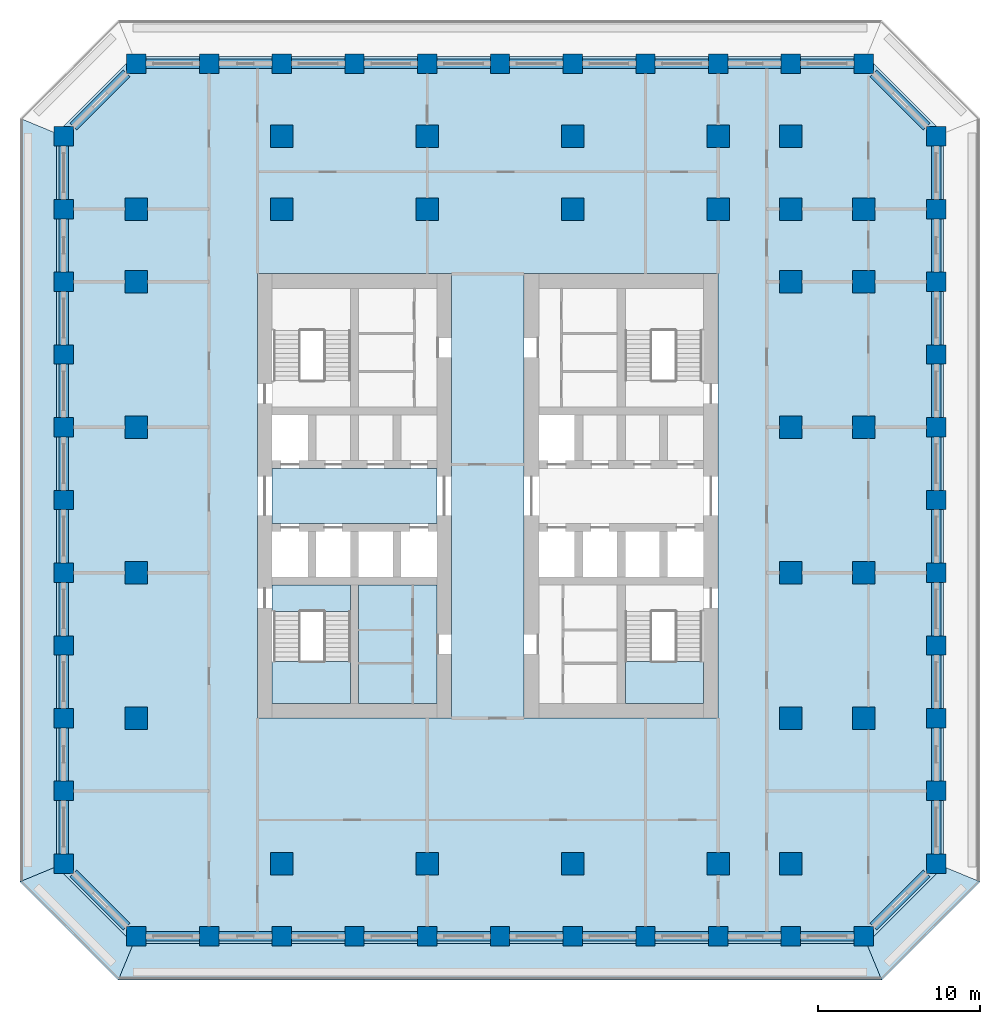
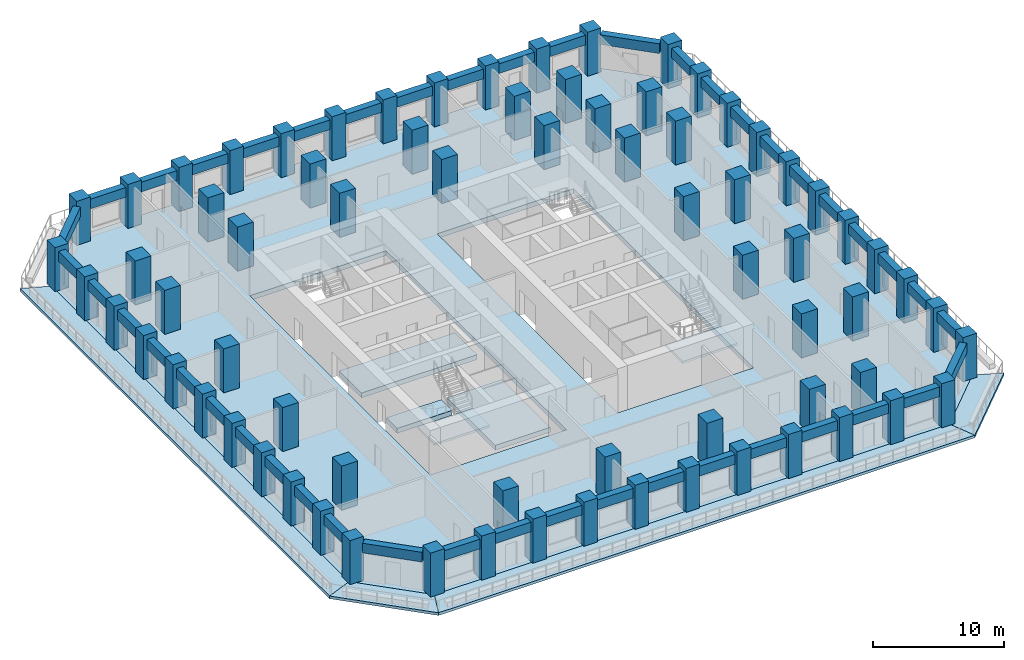
# One storey, part 1 of 17: 73 columns, 44 beams, 10 slabs, 2 elements without a shape of their own.
"""IFC4 building model written with IfcOpenShell, lengths in metres."""

from ifc_helpers import new_model, si_unit, direction, frame, origin, origin_2d, place, context, subcontext, project, spatial, polyline, rectangle, outline, extrude, material, layer, layer_set, material_profile, profile_set, type_object, element, aggregate, save


model = new_model("IFC4")

# Units and contexts
model_context = context("Model", 3, precision=1e-05, world=origin(), true_north=direction((0.0, 1.0)))
body_context = subcontext(model_context, "Body", "Model", "MODEL_VIEW")
ifc_project = project(units=[si_unit("LENGTHUNIT", "METRE"), si_unit("AREAUNIT", "SQUARE_METRE"), si_unit("VOLUMEUNIT", "CUBIC_METRE"), si_unit("PLANEANGLEUNIT", "RADIAN"), si_unit("MASSUNIT", "GRAM", prefix="KILO")], contexts=[model_context])

# Site, building, storey
site_placement = place(None, origin())
site = spatial("IfcSite", under=ifc_project, at=site_placement, CompositionType="ELEMENT")
building_placement = place(site_placement, origin())
building = spatial("IfcBuilding", under=site, at=building_placement, Name="Corbel Stack Research Tower", CompositionType="ELEMENT")
storey_placement = place(building_placement, frame((0.0, 0.0, 86.10009765625)))
storey = spatial("IfcBuildingStorey", under=building, at=storey_placement, Name="L19", CompositionType="ELEMENT", Elevation=86.10009765625)

# Columns
ifc_material_1 = material(Name="Concrete C70/85", Category="concrete")
ifc_material_profile_1 = material_profile(ifc_material_1, rectangle(XDim=1.199951171875, YDim=1.199951171875, at=origin_2d()), Name="RC 1200 x 1200")
ifc_profile_set_1 = profile_set([ifc_material_profile_1], Name="Concrete C70/85")
column_type_1 = type_object("IfcColumnType", Name="C-1200-70", PredefinedType="COLUMN", material=ifc_profile_set_1)
for number, where, z_axis, x_axis, name in (
    (1, (-22.5, -18.0, 0.0), (0.0, 0.0, 1.0), (1.0, 0.0, 0.0), "Column 3/D L19"),
    (2, (-22.5, -13.5, 0.0), (0.0, 0.0, 1.0), (1.0, 0.0, 0.0), "Column 3/E L19"),
    (3, (-22.5, -9.0, 0.0), (0.0, 0.0, 1.0), (1.0, 0.0, 0.0), "Column 3/F L19"),
    (4, (-22.5, -4.5, 0.0), (0.0, 0.0, 1.0), (1.0, 0.0, 0.0), "Column 3/G L19"),
    (5, (-22.5, 0.0, 0.0), (0.0, 0.0, 1.0), (1.0, 0.0, 0.0), "Column 3/H L19"),
    (6, (-22.5, 4.5, 0.0), (0.0, 0.0, 1.0), (1.0, 0.0, 0.0), "Column 3/J L19"),
    (7, (-22.5, 9.0, 0.0), (0.0, 0.0, 1.0), (1.0, 0.0, 0.0), "Column 3/K L19"),
    (8, (-22.5, 13.5, 0.0), (0.0, 0.0, 1.0), (1.0, 0.0, 0.0), "Column 3/L L19"),
    (9, (-22.5, 18.0, 0.0), (0.0, 0.0, 1.0), (1.0, 0.0, 0.0), "Column 3/M L19"),
    (10, (-22.5, 22.5, 0.0), (0.0, 0.0, 1.0), (1.0, 0.0, 0.0), "Column 3/N L19"),
    (11, (-22.5, 27.0, 0.0), (0.0, 0.0, 1.0), (1.0, 0.0, 0.0), "Column 3/P L19"),
    (12, (-18.0, -22.5, 0.0), (0.0, 0.0, 1.0), (1.0, 0.0, 0.0), "Column 4/C L19"),
    (13, (-18.0, 31.5, 0.0), (0.0, 0.0, 1.0), (1.0, 0.0, 0.0), "Column 4/Q L19"),
    (14, (-13.5, -22.5, 0.0), (0.0, 0.0, 1.0), (1.0, 0.0, 0.0), "Column 5/C L19"),
    (15, (-13.5, 31.5, 0.0), (0.0, 0.0, 1.0), (1.0, 0.0, 0.0), "Column 5/Q L19"),
    (16, (-9.0, -22.5, 0.0), (0.0, 0.0, 1.0), (1.0, 0.0, 0.0), "Column 6/C L19"),
    (17, (-9.0, 31.5, 0.0), (0.0, 0.0, 1.0), (1.0, 0.0, 0.0), "Column 6/Q L19"),
    (18, (-4.5, -22.5, 0.0), (0.0, 0.0, 1.0), (1.0, 0.0, 0.0), "Column 7/C L19"),
    (19, (-4.5, 31.5, 0.0), (0.0, 0.0, 1.0), (1.0, 0.0, 0.0), "Column 7/Q L19"),
    (20, (0.0, -22.5, 0.0), (0.0, 0.0, 1.0), (1.0, 0.0, 0.0), "Column 8/C L19"),
    (21, (0.0, 31.5, 0.0), (0.0, 0.0, 1.0), (1.0, 0.0, 0.0), "Column 8/Q L19"),
    (22, (4.5, -22.5, 0.0), (0.0, 0.0, 1.0), (1.0, 0.0, 0.0), "Column 9/C L19"),
    (23, (4.5, 31.5, 0.0), (0.0, 0.0, 1.0), (1.0, 0.0, 0.0), "Column 9/Q L19"),
    (24, (9.0, -22.5, 0.0), (0.0, 0.0, 1.0), (1.0, 0.0, 0.0), "Column 10/C L19"),
    (25, (9.0, 31.5, 0.0), (0.0, 0.0, 1.0), (1.0, 0.0, 0.0), "Column 10/Q L19"),
    (26, (13.5, -22.5, 0.0), (0.0, 0.0, 1.0), (1.0, 0.0, 0.0), "Column 11/C L19"),
    (27, (13.5, 31.5, 0.0), (0.0, 0.0, 1.0), (1.0, 0.0, 0.0), "Column 11/Q L19"),
    (28, (18.0, -22.5, 0.0), (0.0, 0.0, 1.0), (1.0, 0.0, 0.0), "Column 12/C L19"),
    (29, (18.0, 31.5, 0.0), (0.0, 0.0, 1.0), (1.0, 0.0, 0.0), "Column 12/Q L19"),
    (30, (22.5, -22.5, 0.0), (0.0, 0.0, 1.0), (1.0, 0.0, 0.0), "Column 13/C L19"),
    (31, (22.5, 31.5, 0.0), (0.0, 0.0, 1.0), (1.0, 0.0, 0.0), "Column 13/Q L19"),
    (32, (27.0, -22.5, 0.0), (0.0, 0.0, 1.0), (1.0, 0.0, 0.0), "Column 14/C L19"),
    (33, (27.0, 31.5, 0.0), (0.0, 0.0, 1.0), (1.0, 0.0, 0.0), "Column 14/Q L19"),
    (34, (31.5, -18.0, 0.0), (0.0, 0.0, 1.0), (1.0, 0.0, 0.0), "Column 15/D L19"),
    (35, (31.5, -13.5, 0.0), (0.0, 0.0, 1.0), (1.0, 0.0, 0.0), "Column 15/E L19"),
    (36, (31.5, -9.0, 0.0), (0.0, 0.0, 1.0), (1.0, 0.0, 0.0), "Column 15/F L19"),
    (37, (31.5, -4.5, 0.0), (0.0, 0.0, 1.0), (1.0, 0.0, 0.0), "Column 15/G L19"),
    (38, (31.5, 0.0, 0.0), (0.0, 0.0, 1.0), (1.0, 0.0, 0.0), "Column 15/H L19"),
    (39, (31.5, 4.5, 0.0), (0.0, 0.0, 1.0), (1.0, 0.0, 0.0), "Column 15/J L19"),
    (40, (31.5, 9.0, 0.0), (0.0, 0.0, 1.0), (1.0, 0.0, 0.0), "Column 15/K L19"),
    (41, (31.5, 13.5, 0.0), (0.0, 0.0, 1.0), (1.0, 0.0, 0.0), "Column 15/L L19"),
    (42, (31.5, 18.0, 0.0), (0.0, 0.0, 1.0), (1.0, 0.0, 0.0), "Column 15/M L19"),
    (43, (31.5, 22.5, 0.0), (0.0, 0.0, 1.0), (1.0, 0.0, 0.0), "Column 15/N L19"),
    (44, (31.5, 27.0, 0.0), (0.0, 0.0, 1.0), (1.0, 0.0, 0.0), "Column 15/P L19"),
):
    element("IfcColumn", number, at=place(storey_placement, frame(where, z_axis=z_axis, x_axis=x_axis)), inside=storey, type_object=column_type_1, Name=name, PredefinedType="COLUMN", context=body_context, shape_type="SweptSolid", body=[
        extrude(rectangle(XDim=1.199951171875, YDim=1.199951171875, at=origin_2d()), origin(), (0.0, 0.0, 1.0), 4.099853515625),
    ])
ifc_material_2 = material(Name="Concrete C70/85", Category="concrete")
ifc_material_profile_2 = material_profile(ifc_material_2, rectangle(XDim=1.39990234375, YDim=1.39990234375, at=origin_2d()), Name="RC 1400 x 1400")
ifc_profile_set_2 = profile_set([ifc_material_profile_2], Name="Concrete C70/85")
column_type_2 = type_object("IfcColumnType", Name="C-1400-70", PredefinedType="COLUMN", material=ifc_profile_set_2)
for number, where, z_axis, x_axis, name in (
    (45, (-18.0, -9.0, 0.0), (0.0, 0.0, 1.0), (1.0, 0.0, 0.0), "Column 4/F L19"),
    (46, (-18.0, 0.0, 0.0), (0.0, 0.0, 1.0), (1.0, 0.0, 0.0), "Column 4/H L19"),
    (47, (-18.0, 9.0, 0.0), (0.0, 0.0, 1.0), (1.0, 0.0, 0.0), "Column 4/K L19"),
    (48, (-18.0, 18.0, 0.0), (0.0, 0.0, 1.0), (1.0, 0.0, 0.0), "Column 4/M L19"),
    (49, (-18.0, 22.5, 0.0), (0.0, 0.0, 1.0), (1.0, 0.0, 0.0), "Column 4/N L19"),
    (50, (-9.0, -18.0, 0.0), (0.0, 0.0, 1.0), (1.0, 0.0, 0.0), "Column 6/D L19"),
    (51, (-9.0, 22.5, 0.0), (0.0, 0.0, 1.0), (1.0, 0.0, 0.0), "Column 6/N L19"),
    (52, (-9.0, 27.0, 0.0), (0.0, 0.0, 1.0), (1.0, 0.0, 0.0), "Column 6/P L19"),
    (53, (0.0, -18.0, 0.0), (0.0, 0.0, 1.0), (1.0, 0.0, 0.0), "Column 8/D L19"),
    (54, (0.0, 22.5, 0.0), (0.0, 0.0, 1.0), (1.0, 0.0, 0.0), "Column 8/N L19"),
    (55, (0.0, 27.0, 0.0), (0.0, 0.0, 1.0), (1.0, 0.0, 0.0), "Column 8/P L19"),
    (56, (9.0, -18.0, 0.0), (0.0, 0.0, 1.0), (1.0, 0.0, 0.0), "Column 10/D L19"),
    (57, (9.0, 22.5, 0.0), (0.0, 0.0, 1.0), (1.0, 0.0, 0.0), "Column 10/N L19"),
    (58, (9.0, 27.0, 0.0), (0.0, 0.0, 1.0), (1.0, 0.0, 0.0), "Column 10/P L19"),
    (59, (18.0, -18.0, 0.0), (0.0, 0.0, 1.0), (1.0, 0.0, 0.0), "Column 12/D L19"),
    (60, (18.0, 22.5, 0.0), (0.0, 0.0, 1.0), (1.0, 0.0, 0.0), "Column 12/N L19"),
    (61, (18.0, 27.0, 0.0), (0.0, 0.0, 1.0), (1.0, 0.0, 0.0), "Column 12/P L19"),
    (62, (22.5, -18.0, 0.0), (0.0, 0.0, 1.0), (1.0, 0.0, 0.0), "Column 13/D L19"),
    (63, (22.5, -9.0, 0.0), (0.0, 0.0, 1.0), (1.0, 0.0, 0.0), "Column 13/F L19"),
    (64, (22.5, 0.0, 0.0), (0.0, 0.0, 1.0), (1.0, 0.0, 0.0), "Column 13/H L19"),
    (65, (22.5, 9.0, 0.0), (0.0, 0.0, 1.0), (1.0, 0.0, 0.0), "Column 13/K L19"),
    (66, (22.5, 18.0, 0.0), (0.0, 0.0, 1.0), (1.0, 0.0, 0.0), "Column 13/M L19"),
    (67, (22.5, 22.5, 0.0), (0.0, 0.0, 1.0), (1.0, 0.0, 0.0), "Column 13/N L19"),
    (68, (22.5, 27.0, 0.0), (0.0, 0.0, 1.0), (1.0, 0.0, 0.0), "Column 13/P L19"),
    (69, (27.0, -9.0, 0.0), (0.0, 0.0, 1.0), (1.0, 0.0, 0.0), "Column 14/F L19"),
    (70, (27.0, 0.0, 0.0), (0.0, 0.0, 1.0), (1.0, 0.0, 0.0), "Column 14/H L19"),
    (71, (27.0, 9.0, 0.0), (0.0, 0.0, 1.0), (1.0, 0.0, 0.0), "Column 14/K L19"),
    (72, (27.0, 18.0, 0.0), (0.0, 0.0, 1.0), (1.0, 0.0, 0.0), "Column 14/M L19"),
    (73, (27.0, 22.5, 0.0), (0.0, 0.0, 1.0), (1.0, 0.0, 0.0), "Column 14/N L19"),
):
    element("IfcColumn", number, at=place(storey_placement, frame(where, z_axis=z_axis, x_axis=x_axis)), inside=storey, type_object=column_type_2, Name=name, PredefinedType="COLUMN", context=body_context, shape_type="SweptSolid", body=[
        extrude(rectangle(XDim=1.39990234375, YDim=1.39990234375, at=origin_2d()), origin(), (0.0, 0.0, 1.0), 4.099853515625),
    ])

# Beams
ifc_material_3 = material(Name="Concrete C60/75", Category="concrete")
ifc_material_profile_3 = material_profile(ifc_material_3, rectangle(XDim=0.60009765625, YDim=0.89990234375, at=origin_2d()), Name="RC 600 x 900")
ifc_profile_set_3 = profile_set([ifc_material_profile_3], Name="Concrete C60/75")
beam_type = type_object("IfcBeamType", Name="SB-600-900-450", PredefinedType="SPANDREL", material=ifc_profile_set_3)
for number, where, z_axis, x_axis, name in (
    (74, (-17.39990234375, -22.5, 3.199951171875), (1.0, 0.0, 0.0), (0.0, 1.0, 0.0), "Spandrel beam L19-01"),
    (75, (-12.89990234375, -22.5, 3.199951171875), (1.0, 0.0, 0.0), (0.0, 1.0, 0.0), "Spandrel beam L19-02"),
    (76, (-8.39990234375, -22.5, 3.199951171875), (1.0, 0.0, 0.0), (0.0, 1.0, 0.0), "Spandrel beam L19-03"),
    (77, (-3.89990234375, -22.5, 3.199951171875), (1.0, 0.0, 0.0), (0.0, 1.0, 0.0), "Spandrel beam L19-04"),
    (78, (0.60009765625, -22.5, 3.199951171875), (1.0, 0.0, 0.0), (0.0, 1.0, 0.0), "Spandrel beam L19-05"),
    (79, (5.10009765625, -22.5, 3.199951171875), (1.0, 0.0, 0.0), (0.0, 1.0, 0.0), "Spandrel beam L19-06"),
    (80, (9.60009765625, -22.5, 3.199951171875), (1.0, 0.0, 0.0), (0.0, 1.0, 0.0), "Spandrel beam L19-07"),
    (81, (14.10009765625, -22.5, 3.199951171875), (1.0, 0.0, 0.0), (0.0, 1.0, 0.0), "Spandrel beam L19-08"),
    (82, (18.60009765625, -22.5, 3.199951171875), (1.0, 0.0, 0.0), (0.0, 1.0, 0.0), "Spandrel beam L19-09"),
    (83, (23.10009765625, -22.5, 3.199951171875), (1.0, 0.0, 0.0), (0.0, 1.0, 0.0), "Spandrel beam L19-10"),
):
    element("IfcBeam", number, at=place(storey_placement, frame(where, z_axis=z_axis, x_axis=x_axis)), inside=storey, type_object=beam_type, Name=name, PredefinedType="SPANDREL", context=body_context, shape_type="SweptSolid", body=[
        extrude(rectangle(XDim=0.60009765625, YDim=0.89990234375, at=origin_2d()), origin(), (0.0, 0.0, 1.0), 3.2998046875),
    ])
beam_1_placement = place(storey_placement, frame((27.60009765625, -21.89990234375, 3.199951171875), z_axis=(0.707106781187, 0.707106781187, 0.0), x_axis=(-0.707106781187, 0.707106781187, 0.0)))
element("IfcBeam", 84, at=beam_1_placement, inside=storey, type_object=beam_type, Name="Spandrel beam L19-11", PredefinedType="SPANDREL", context=body_context, shape_type="SweptSolid", body=[
    extrude(rectangle(XDim=0.60009765625, YDim=0.89990234375, at=origin_2d()), origin(), (0.0, 0.0, 1.0), 4.666748046875),
])
for number, where, z_axis, x_axis, name in (
    (85, (31.5, -17.39990234375, 3.199951171875), (0.0, 1.0, 0.0), (-1.0, 0.0, 0.0), "Spandrel beam L19-12"),
    (86, (31.5, -12.89990234375, 3.199951171875), (0.0, 1.0, 0.0), (-1.0, 0.0, 0.0), "Spandrel beam L19-13"),
    (87, (31.5, -8.39990234375, 3.199951171875), (0.0, 1.0, 0.0), (-1.0, 0.0, 0.0), "Spandrel beam L19-14"),
    (88, (31.5, -3.89990234375, 3.199951171875), (0.0, 1.0, 0.0), (-1.0, 0.0, 0.0), "Spandrel beam L19-15"),
    (89, (31.5, 0.60009765625, 3.199951171875), (0.0, 1.0, 0.0), (-1.0, 0.0, 0.0), "Spandrel beam L19-16"),
    (90, (31.5, 5.10009765625, 3.199951171875), (0.0, 1.0, 0.0), (-1.0, 0.0, 0.0), "Spandrel beam L19-17"),
    (91, (31.5, 9.60009765625, 3.199951171875), (0.0, 1.0, 0.0), (-1.0, 0.0, 0.0), "Spandrel beam L19-18"),
    (92, (31.5, 14.10009765625, 3.199951171875), (0.0, 1.0, 0.0), (-1.0, 0.0, 0.0), "Spandrel beam L19-19"),
    (93, (31.5, 18.60009765625, 3.199951171875), (0.0, 1.0, 0.0), (-1.0, 0.0, 0.0), "Spandrel beam L19-20"),
    (94, (31.5, 23.10009765625, 3.199951171875), (0.0, 1.0, 0.0), (-1.0, 0.0, 0.0), "Spandrel beam L19-21"),
):
    element("IfcBeam", number, at=place(storey_placement, frame(where, z_axis=z_axis, x_axis=x_axis)), inside=storey, type_object=beam_type, Name=name, PredefinedType="SPANDREL", context=body_context, shape_type="SweptSolid", body=[
        extrude(rectangle(XDim=0.60009765625, YDim=0.89990234375, at=origin_2d()), origin(), (0.0, 0.0, 1.0), 3.2998046875),
    ])
beam_2_placement = place(storey_placement, frame((30.89990234375, 27.60009765625, 3.199951171875), z_axis=(-0.707106781187, 0.707106781187, 0.0), x_axis=(-0.707106781187, -0.707106781187, 0.0)))
element("IfcBeam", 95, at=beam_2_placement, inside=storey, type_object=beam_type, Name="Spandrel beam L19-22", PredefinedType="SPANDREL", context=body_context, shape_type="SweptSolid", body=[
    extrude(rectangle(XDim=0.60009765625, YDim=0.89990234375, at=origin_2d()), origin(), (0.0, 0.0, 1.0), 4.666748046875),
])
for number, where, z_axis, x_axis, name in (
    (96, (26.39990234375, 31.5, 3.199951171875), (-1.0, 0.0, 0.0), (0.0, -1.0, 0.0), "Spandrel beam L19-23"),
    (97, (21.89990234375, 31.5, 3.199951171875), (-1.0, 0.0, 0.0), (0.0, -1.0, 0.0), "Spandrel beam L19-24"),
    (98, (17.39990234375, 31.5, 3.199951171875), (-1.0, 0.0, 0.0), (0.0, -1.0, 0.0), "Spandrel beam L19-25"),
    (99, (12.89990234375, 31.5, 3.199951171875), (-1.0, 0.0, 0.0), (0.0, -1.0, 0.0), "Spandrel beam L19-26"),
    (100, (8.39990234375, 31.5, 3.199951171875), (-1.0, 0.0, 0.0), (0.0, -1.0, 0.0), "Spandrel beam L19-27"),
    (101, (3.89990234375, 31.5, 3.199951171875), (-1.0, 0.0, 0.0), (0.0, -1.0, 0.0), "Spandrel beam L19-28"),
    (102, (-0.60009765625, 31.5, 3.199951171875), (-1.0, 0.0, 0.0), (0.0, -1.0, 0.0), "Spandrel beam L19-29"),
    (103, (-5.10009765625, 31.5, 3.199951171875), (-1.0, 0.0, 0.0), (0.0, -1.0, 0.0), "Spandrel beam L19-30"),
    (104, (-9.60009765625, 31.5, 3.199951171875), (-1.0, 0.0, 0.0), (0.0, -1.0, 0.0), "Spandrel beam L19-31"),
    (105, (-14.10009765625, 31.5, 3.199951171875), (-1.0, 0.0, 0.0), (0.0, -1.0, 0.0), "Spandrel beam L19-32"),
):
    element("IfcBeam", number, at=place(storey_placement, frame(where, z_axis=z_axis, x_axis=x_axis)), inside=storey, type_object=beam_type, Name=name, PredefinedType="SPANDREL", context=body_context, shape_type="SweptSolid", body=[
        extrude(rectangle(XDim=0.60009765625, YDim=0.89990234375, at=origin_2d()), origin(), (0.0, 0.0, 1.0), 3.2998046875),
    ])
beam_3_placement = place(storey_placement, frame((-18.60009765625, 30.89990234375, 3.199951171875), z_axis=(-0.707106781187, -0.707106781187, 0.0), x_axis=(0.707106781187, -0.707106781187, 0.0)))
element("IfcBeam", 106, at=beam_3_placement, inside=storey, type_object=beam_type, Name="Spandrel beam L19-33", PredefinedType="SPANDREL", context=body_context, shape_type="SweptSolid", body=[
    extrude(rectangle(XDim=0.60009765625, YDim=0.89990234375, at=origin_2d()), origin(), (0.0, 0.0, 1.0), 4.666748046875),
])
for number, where, z_axis, x_axis, name in (
    (107, (-22.5, 26.39990234375, 3.199951171875), (0.0, -1.0, 0.0), (1.0, 0.0, 0.0), "Spandrel beam L19-34"),
    (108, (-22.5, 21.89990234375, 3.199951171875), (0.0, -1.0, 0.0), (1.0, 0.0, 0.0), "Spandrel beam L19-35"),
    (109, (-22.5, 17.39990234375, 3.199951171875), (0.0, -1.0, 0.0), (1.0, 0.0, 0.0), "Spandrel beam L19-36"),
    (110, (-22.5, 12.89990234375, 3.199951171875), (0.0, -1.0, 0.0), (1.0, 0.0, 0.0), "Spandrel beam L19-37"),
    (111, (-22.5, 8.39990234375, 3.199951171875), (0.0, -1.0, 0.0), (1.0, 0.0, 0.0), "Spandrel beam L19-38"),
    (112, (-22.5, 3.89990234375, 3.199951171875), (0.0, -1.0, 0.0), (1.0, 0.0, 0.0), "Spandrel beam L19-39"),
    (113, (-22.5, -0.60009765625, 3.199951171875), (0.0, -1.0, 0.0), (1.0, 0.0, 0.0), "Spandrel beam L19-40"),
    (114, (-22.5, -5.10009765625, 3.199951171875), (0.0, -1.0, 0.0), (1.0, 0.0, 0.0), "Spandrel beam L19-41"),
    (115, (-22.5, -9.60009765625, 3.199951171875), (0.0, -1.0, 0.0), (1.0, 0.0, 0.0), "Spandrel beam L19-42"),
    (116, (-22.5, -14.10009765625, 3.199951171875), (0.0, -1.0, 0.0), (1.0, 0.0, 0.0), "Spandrel beam L19-43"),
):
    element("IfcBeam", number, at=place(storey_placement, frame(where, z_axis=z_axis, x_axis=x_axis)), inside=storey, type_object=beam_type, Name=name, PredefinedType="SPANDREL", context=body_context, shape_type="SweptSolid", body=[
        extrude(rectangle(XDim=0.60009765625, YDim=0.89990234375, at=origin_2d()), origin(), (0.0, 0.0, 1.0), 3.2998046875),
    ])
beam_4_placement = place(storey_placement, frame((-21.89990234375, -18.60009765625, 3.199951171875), z_axis=(0.707106781187, -0.707106781187, 0.0), x_axis=(0.707106781187, 0.707106781187, 0.0)))
element("IfcBeam", 117, at=beam_4_placement, inside=storey, type_object=beam_type, Name="Spandrel beam L19-44", PredefinedType="SPANDREL", context=body_context, shape_type="SweptSolid", body=[
    extrude(rectangle(XDim=0.60009765625, YDim=0.89990234375, at=origin_2d()), origin(), (0.0, 0.0, 1.0), 4.666748046875),
])

# Slabs
ifc_material_4 = material(Name="Concrete C45/55", Category="concrete")
ifc_layer_1 = layer(ifc_material_4, 0.25)
ifc_layer_set_1 = layer_set([ifc_layer_1], Name="Concrete C45/55")
slab_type_1 = type_object("IfcSlabType", Name="PT balcony slab 250 C45/55", PredefinedType="FLOOR", material=ifc_layer_set_1)
slab_1_placement = place(storey_placement, frame((0.0, 0.0, -0.25)))
element("IfcSlab", 118, at=slab_1_placement, inside=storey, type_object=slab_type_1, Name="Loggia slab L19 S", PredefinedType="FLOOR", context=body_context, shape_type="SweptSolid", body=[
    extrude(outline(polyline([(27.24853515625, -23.10009765625), (26.39990234375, -23.10009765625), (26.39990234375, -22.949951171875), (23.10009765625, -22.949951171875), (23.10009765625, -23.10009765625), (21.89990234375, -23.10009765625), (21.89990234375, -22.949951171875), (18.60009765625, -22.949951171875), (18.60009765625, -23.10009765625), (17.39990234375, -23.10009765625), (17.39990234375, -22.949951171875), (14.10009765625, -22.949951171875), (14.10009765625, -23.10009765625), (12.89990234375, -23.10009765625), (12.89990234375, -22.949951171875), (9.60009765625, -22.949951171875), (9.60009765625, -23.10009765625), (8.39990234375, -23.10009765625), (8.39990234375, -22.949951171875), (5.10009765625, -22.949951171875), (5.10009765625, -23.10009765625), (3.89990234375, -23.10009765625), (3.89990234375, -22.949951171875), (0.60009765625, -22.949951171875), (0.60009765625, -23.10009765625), (-0.60009765625, -23.10009765625), (-0.60009765625, -22.949951171875), (-3.89990234375, -22.949951171875), (-3.89990234375, -23.10009765625), (-5.10009765625, -23.10009765625), (-5.10009765625, -22.949951171875), (-8.39990234375, -22.949951171875), (-8.39990234375, -23.10009765625), (-9.60009765625, -23.10009765625), (-9.60009765625, -22.949951171875), (-12.89990234375, -22.949951171875), (-12.89990234375, -23.10009765625), (-14.10009765625, -23.10009765625), (-14.10009765625, -22.949951171875), (-17.39990234375, -22.949951171875), (-17.39990234375, -23.10009765625), (-18.24853515625, -23.10009765625), (-19.118408203125, -25.199951171875), (28.118408203125, -25.199951171875), (27.24853515625, -23.10009765625)])), origin(), (0.0, 0.0, 1.0), 0.25),
])
slab_2_placement = place(storey_placement, frame((0.0, 0.0, -0.25)))
element("IfcSlab", 119, at=slab_2_placement, inside=storey, type_object=slab_type_1, Name="Loggia slab L19 SE", PredefinedType="FLOOR", context=body_context, shape_type="SweptSolid", body=[
    extrude(outline(polyline([(32.10009765625, -18.24853515625), (32.10009765625, -18.60009765625), (31.536376953125, -18.60009765625), (27.60009765625, -22.536376953125), (27.60009765625, -23.10009765625), (27.24853515625, -23.10009765625), (28.118408203125, -25.199951171875), (34.199951171875, -19.118408203125), (32.10009765625, -18.24853515625)])), origin(), (0.0, 0.0, 1.0), 0.25),
])
slab_3_placement = place(storey_placement, frame((0.0, 0.0, -0.25)))
element("IfcSlab", 120, at=slab_3_placement, inside=storey, type_object=slab_type_1, Name="Loggia slab L19 W", PredefinedType="FLOOR", context=body_context, shape_type="SweptSolid", body=[
    extrude(outline(polyline([(-23.10009765625, -18.24853515625), (-23.10009765625, -17.39990234375), (-22.949951171875, -17.39990234375), (-22.949951171875, -14.10009765625), (-23.10009765625, -14.10009765625), (-23.10009765625, -12.89990234375), (-22.949951171875, -12.89990234375), (-22.949951171875, -9.60009765625), (-23.10009765625, -9.60009765625), (-23.10009765625, -8.39990234375), (-22.949951171875, -8.39990234375), (-22.949951171875, -5.10009765625), (-23.10009765625, -5.10009765625), (-23.10009765625, -3.89990234375), (-22.949951171875, -3.89990234375), (-22.949951171875, -0.60009765625), (-23.10009765625, -0.60009765625), (-23.10009765625, 0.60009765625), (-22.949951171875, 0.60009765625), (-22.949951171875, 3.89990234375), (-23.10009765625, 3.89990234375), (-23.10009765625, 5.10009765625), (-22.949951171875, 5.10009765625), (-22.949951171875, 8.39990234375), (-23.10009765625, 8.39990234375), (-23.10009765625, 9.60009765625), (-22.949951171875, 9.60009765625), (-22.949951171875, 12.89990234375), (-23.10009765625, 12.89990234375), (-23.10009765625, 14.10009765625), (-22.949951171875, 14.10009765625), (-22.949951171875, 17.39990234375), (-23.10009765625, 17.39990234375), (-23.10009765625, 18.60009765625), (-22.949951171875, 18.60009765625), (-22.949951171875, 21.89990234375), (-23.10009765625, 21.89990234375), (-23.10009765625, 23.10009765625), (-22.949951171875, 23.10009765625), (-22.949951171875, 26.39990234375), (-23.10009765625, 26.39990234375), (-23.10009765625, 27.24853515625), (-25.199951171875, 28.118408203125), (-25.199951171875, -19.118408203125), (-23.10009765625, -18.24853515625)])), origin(), (0.0, 0.0, 1.0), 0.25),
])
slab_4_placement = place(storey_placement, frame((0.0, 0.0, -0.25)))
element("IfcSlab", 121, at=slab_4_placement, inside=storey, type_object=slab_type_1, Name="Loggia slab L19 SW", PredefinedType="FLOOR", context=body_context, shape_type="SweptSolid", body=[
    extrude(outline(polyline([(-18.24853515625, -23.10009765625), (-18.60009765625, -23.10009765625), (-18.60009765625, -22.536376953125), (-22.536376953125, -18.60009765625), (-23.10009765625, -18.60009765625), (-23.10009765625, -18.24853515625), (-25.199951171875, -19.118408203125), (-19.118408203125, -25.199951171875), (-18.24853515625, -23.10009765625)])), origin(), (0.0, 0.0, 1.0), 0.25),
])
ifc_material_5 = material(Name="Concrete C45/55", Category="concrete")
ifc_layer_2 = layer(ifc_material_5, 0.449951171875)
ifc_layer_set_2 = layer_set([ifc_layer_2], Name="Concrete C45/55")
slab_type_2 = type_object("IfcSlabType", Name="PT-450", PredefinedType="FLOOR", material=ifc_layer_set_2)
slab_5_placement = place(storey_placement, frame((0.0, 0.0, -0.4501953125)))
element("IfcSlab", 122, at=slab_5_placement, inside=storey, type_object=slab_type_2, Name="Floor slab L19", PredefinedType="FLOOR", context=body_context, shape_type="SweptSolid", body=[
    extrude(outline(polyline([(-18.186279296875, -22.949951171875), (27.186279296875, -22.949951171875), (31.949951171875, -18.186279296875), (31.949951171875, 27.186279296875), (27.186279296875, 31.949951171875), (-18.186279296875, 31.949951171875), (-22.949951171875, 27.186279296875), (-22.949951171875, -18.186279296875), (-18.186279296875, -22.949951171875)]), holes=[polyline([(26.300048828125, 21.800048828125), (26.300048828125, 23.199951171875), (27.699951171875, 23.199951171875), (27.699951171875, 21.800048828125), (26.300048828125, 21.800048828125)]), polyline([(26.300048828125, -9.699951171875), (26.300048828125, -8.300048828125), (27.699951171875, -8.300048828125), (27.699951171875, -9.699951171875), (26.300048828125, -9.699951171875)]), polyline([(26.300048828125, -0.699951171875), (26.300048828125, 0.699951171875), (27.699951171875, 0.699951171875), (27.699951171875, -0.699951171875), (26.300048828125, -0.699951171875)]), polyline([(26.300048828125, 8.300048828125), (26.300048828125, 9.699951171875), (27.699951171875, 9.699951171875), (27.699951171875, 8.300048828125), (26.300048828125, 8.300048828125)]), polyline([(26.300048828125, 17.300048828125), (26.300048828125, 18.699951171875), (27.699951171875, 18.699951171875), (27.699951171875, 17.300048828125), (26.300048828125, 17.300048828125)]), polyline([(21.800048828125, 26.300048828125), (21.800048828125, 27.699951171875), (23.199951171875, 27.699951171875), (23.199951171875, 26.300048828125), (21.800048828125, 26.300048828125)]), polyline([(21.800048828125, 21.800048828125), (21.800048828125, 23.199951171875), (23.199951171875, 23.199951171875), (23.199951171875, 21.800048828125), (21.800048828125, 21.800048828125)]), polyline([(21.800048828125, 17.300048828125), (21.800048828125, 18.699951171875), (23.199951171875, 18.699951171875), (23.199951171875, 17.300048828125), (21.800048828125, 17.300048828125)]), polyline([(21.800048828125, 8.300048828125), (21.800048828125, 9.699951171875), (23.199951171875, 9.699951171875), (23.199951171875, 8.300048828125), (21.800048828125, 8.300048828125)]), polyline([(21.800048828125, -0.699951171875), (21.800048828125, 0.699951171875), (23.199951171875, 0.699951171875), (23.199951171875, -0.699951171875), (21.800048828125, -0.699951171875)]), polyline([(21.800048828125, -9.699951171875), (21.800048828125, -8.300048828125), (23.199951171875, -8.300048828125), (23.199951171875, -9.699951171875), (21.800048828125, -9.699951171875)]), polyline([(21.800048828125, -18.699951171875), (21.800048828125, -17.300048828125), (23.199951171875, -17.300048828125), (23.199951171875, -18.699951171875), (21.800048828125, -18.699951171875)]), polyline([(17.300048828125, 26.300048828125), (17.300048828125, 27.699951171875), (18.699951171875, 27.699951171875), (18.699951171875, 26.300048828125), (17.300048828125, 26.300048828125)]), polyline([(17.300048828125, 21.800048828125), (17.300048828125, 23.199951171875), (18.699951171875, 23.199951171875), (18.699951171875, 21.800048828125), (17.300048828125, 21.800048828125)]), polyline([(17.300048828125, -18.699951171875), (17.300048828125, -17.300048828125), (18.699951171875, -17.300048828125), (18.699951171875, -18.699951171875), (17.300048828125, -18.699951171875)]), polyline([(6.0, -9.0), (6.0, 18.5), (18.0, 18.5), (18.0, -9.0), (6.0, -9.0)]), polyline([(8.300048828125, 26.300048828125), (8.300048828125, 27.699951171875), (9.699951171875, 27.699951171875), (9.699951171875, 26.300048828125), (8.300048828125, 26.300048828125)]), polyline([(8.300048828125, 21.800048828125), (8.300048828125, 23.199951171875), (9.699951171875, 23.199951171875), (9.699951171875, 21.800048828125), (8.300048828125, 21.800048828125)]), polyline([(8.300048828125, -18.699951171875), (8.300048828125, -17.300048828125), (9.699951171875, -17.300048828125), (9.699951171875, -18.699951171875), (8.300048828125, -18.699951171875)]), polyline([(-10.5, -9.0), (-10.5, 18.5), (1.5, 18.5), (1.5, -9.0), (-10.5, -9.0)]), polyline([(-0.699951171875, 26.300048828125), (-0.699951171875, 27.699951171875), (0.699951171875, 27.699951171875), (0.699951171875, 26.300048828125), (-0.699951171875, 26.300048828125)]), polyline([(-0.699951171875, 21.800048828125), (-0.699951171875, 23.199951171875), (0.699951171875, 23.199951171875), (0.699951171875, 21.800048828125), (-0.699951171875, 21.800048828125)]), polyline([(-0.699951171875, -18.699951171875), (-0.699951171875, -17.300048828125), (0.699951171875, -17.300048828125), (0.699951171875, -18.699951171875), (-0.699951171875, -18.699951171875)]), polyline([(-9.699951171875, 26.300048828125), (-9.699951171875, 27.699951171875), (-8.300048828125, 27.699951171875), (-8.300048828125, 26.300048828125), (-9.699951171875, 26.300048828125)]), polyline([(-9.699951171875, 21.800048828125), (-9.699951171875, 23.199951171875), (-8.300048828125, 23.199951171875), (-8.300048828125, 21.800048828125), (-9.699951171875, 21.800048828125)]), polyline([(-8.300048828125, -18.699951171875), (-9.699951171875, -18.699951171875), (-9.699951171875, -17.300048828125), (-8.300048828125, -17.300048828125), (-8.300048828125, -18.699951171875)]), polyline([(-18.699951171875, 21.800048828125), (-18.699951171875, 23.199951171875), (-17.300048828125, 23.199951171875), (-17.300048828125, 21.800048828125), (-18.699951171875, 21.800048828125)]), polyline([(-18.699951171875, 17.300048828125), (-18.699951171875, 18.699951171875), (-17.300048828125, 18.699951171875), (-17.300048828125, 17.300048828125), (-18.699951171875, 17.300048828125)]), polyline([(-18.699951171875, 8.300048828125), (-18.699951171875, 9.699951171875), (-17.300048828125, 9.699951171875), (-17.300048828125, 8.300048828125), (-18.699951171875, 8.300048828125)]), polyline([(-18.699951171875, -0.699951171875), (-18.699951171875, 0.699951171875), (-17.300048828125, 0.699951171875), (-17.300048828125, -0.699951171875), (-18.699951171875, -0.699951171875)]), polyline([(-18.699951171875, -9.699951171875), (-18.699951171875, -8.300048828125), (-17.300048828125, -8.300048828125), (-17.300048828125, -9.699951171875), (-18.699951171875, -9.699951171875)])]), origin(), (0.0, 0.0, 1.0), 0.4501953125),
])
slab_6_placement = place(storey_placement, frame((0.0, 0.0, -0.4501953125)))
element("IfcSlab", 123, at=slab_6_placement, inside=storey, type_object=slab_type_2, Name="West core floor L19", PredefinedType="FLOOR", context=body_context, shape_type="SweptSolid", body=[
    extrude(outline(polyline([(0.60009765625, 6.449951171875), (-9.60009765625, 6.449951171875), (-9.60009765625, 3.050048828125), (0.60009765625, 3.050048828125), (0.60009765625, 6.449951171875)])), origin(), (0.0, 0.0, 1.0), 0.4501953125),
])
slab_7_placement = place(storey_placement, frame((0.0, 0.0, -0.4501953125)))
element("IfcSlab", 124, at=slab_7_placement, inside=storey, type_object=slab_type_2, Name="West core floor L19", PredefinedType="FLOOR", context=body_context, shape_type="SweptSolid", body=[
    extrude(outline(polyline([(0.60009765625, -8.10009765625), (0.60009765625, -0.75), (-4.25, -0.75), (-4.25, -8.10009765625), (0.60009765625, -8.10009765625)])), origin(), (0.0, 0.0, 1.0), 0.4501953125),
])
slab_8_placement = place(storey_placement, frame((0.0, 0.0, -0.4501953125)))
element("IfcSlab", 125, at=slab_8_placement, inside=storey, type_object=slab_type_2, Name="Stair floor landing ST-W1", PredefinedType="FLOOR", context=body_context, shape_type="SweptSolid", body=[
    extrude(outline(polyline([(-9.60009765625, -2.39990234375), (-4.75, -2.39990234375), (-4.75, -0.75), (-9.60009765625, -0.75), (-9.60009765625, -2.39990234375)])), origin(), (0.0, 0.0, 1.0), 0.4501953125),
])

# Stair, slab
ifc_material_6 = material(Name="Concrete C40/50", Category="concrete")
stair_type = type_object("IfcStairType", Name="Exit stair 24 risers", PredefinedType="HALF_TURN_STAIR", material=ifc_material_6)
stair_1_placement = place(storey_placement, origin())
stair_1 = element("IfcStair", 126, at=stair_1_placement, inside=storey, type_object=stair_type, Name="L19 Exit stair ST-W1", PredefinedType="HALF_TURN_STAIR")
ifc_material_7 = material(Name="Concrete C40/50", Category="concrete")
ifc_layer_3 = layer(ifc_material_7, 0.199951171875)
ifc_layer_set_3 = layer_set([ifc_layer_3], Name="Concrete C40/50")
slab_type_3 = type_object("IfcSlabType", Name="Stair landing 200 C40/50", PredefinedType="LANDING", material=ifc_layer_set_3)
slab_9_placement = place(storey_placement, frame((0.0, 0.0, 1.849853515625)))
slab_9 = element("IfcSlab", 127, at=slab_9_placement, type_object=slab_type_3, Name="ST-W1 landing 1", PredefinedType="LANDING", context=body_context, shape_type="SweptSolid", body=[
    extrude(outline(polyline([(-9.60009765625, -8.10009765625), (-9.60009765625, -5.47998046875), (-4.75, -5.47998046875), (-4.75, -8.10009765625), (-9.60009765625, -8.10009765625)])), origin(), (0.0, 0.0, 1.0), 0.199951171875),
])
aggregate(stair_1, [slab_9])

stair_2_placement = place(storey_placement, origin())
stair_2 = element("IfcStair", 128, at=stair_2_placement, inside=storey, type_object=stair_type, Name="L19 Exit stair ST-E1", PredefinedType="HALF_TURN_STAIR")
slab_10_placement = place(storey_placement, frame((0.0, 0.0, 1.849853515625)))
slab_10 = element("IfcSlab", 129, at=slab_10_placement, type_object=slab_type_3, Name="ST-E1 landing 1", PredefinedType="LANDING", context=body_context, shape_type="SweptSolid", body=[
    extrude(outline(polyline([(12.25, -8.10009765625), (12.25, -5.47998046875), (17.10009765625, -5.47998046875), (17.10009765625, -8.10009765625), (12.25, -8.10009765625)])), origin(), (0.0, 0.0, 1.0), 0.199951171875),
])
aggregate(stair_2, [slab_10])

save(model, "model.ifc")
